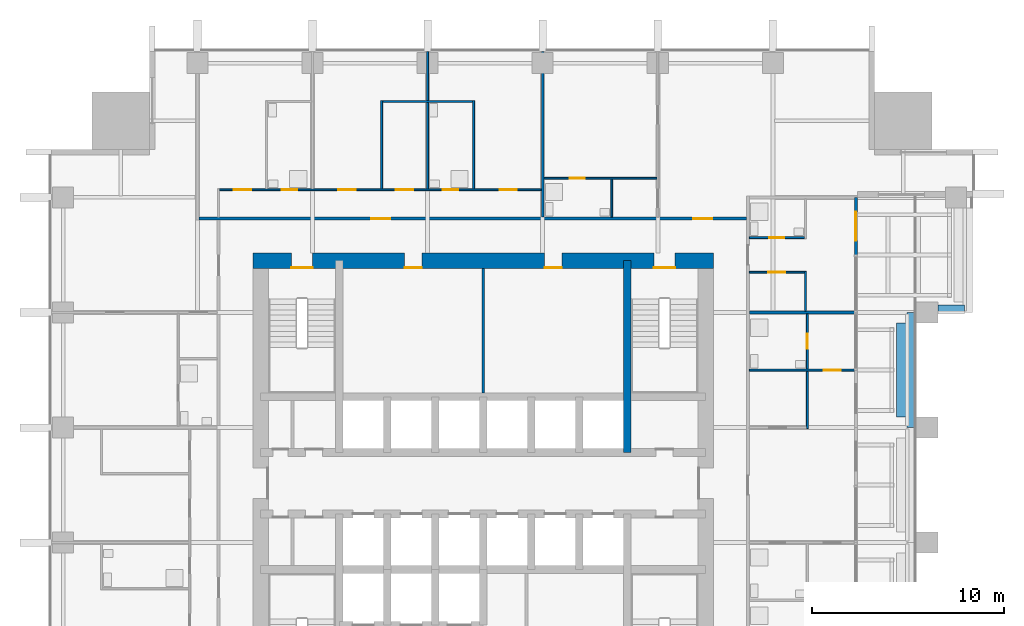
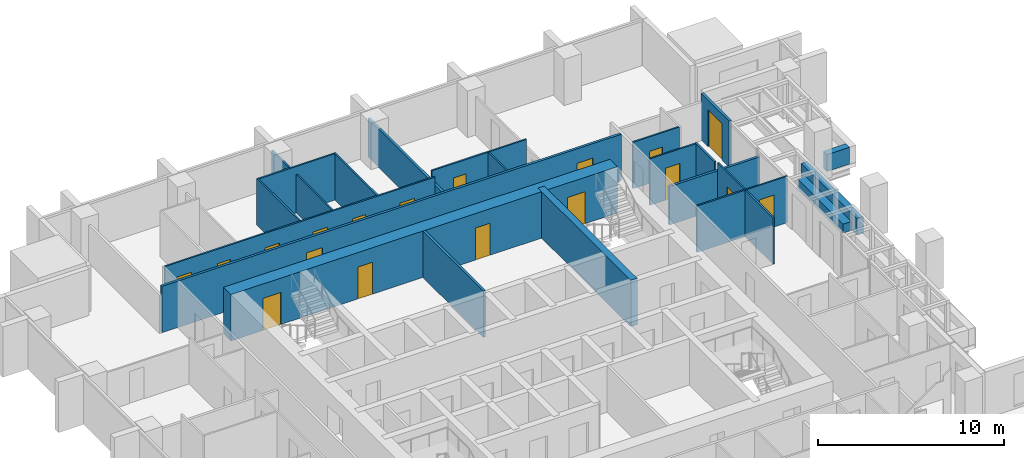
# One storey, part 11 of 16: 22 walls, 18 doors, 18 openings.
"""IFC4 building model written with IfcOpenShell, lengths in metres."""

from ifc_helpers import new_model, si_unit, direction, frame, frame_2d, origin, place, context, subcontext, project, spatial, rectangle, extrude, material, layer, layer_set, type_object, element, fill, save


model = new_model("IFC4")

# Units and contexts
model_context = context("Model", 3, precision=1e-05, world=origin(), true_north=direction((0.0, 1.0)))
body_context = subcontext(model_context, "Body", "Model", "MODEL_VIEW")
ifc_project = project(units=[si_unit("LENGTHUNIT", "METRE"), si_unit("AREAUNIT", "SQUARE_METRE"), si_unit("VOLUMEUNIT", "CUBIC_METRE"), si_unit("PLANEANGLEUNIT", "RADIAN"), si_unit("MASSUNIT", "GRAM", prefix="KILO")], contexts=[model_context])

# Site, building, storey
site_placement = place(None, origin())
site = spatial("IfcSite", under=ifc_project, at=site_placement, CompositionType="ELEMENT")
building_placement = place(site_placement, origin())
building = spatial("IfcBuilding", under=site, at=building_placement, Name="Amberfall Residences", CompositionType="ELEMENT")
storey_placement = place(building_placement, frame((0.0, 0.0, 108.39990234375)))
storey = spatial("IfcBuildingStorey", under=building, at=storey_placement, Name="L29", CompositionType="ELEMENT", Elevation=108.39990234375)

# Wall
ifc_material_1 = material(Name="Concrete C70", Category="concrete")
ifc_layer_1 = layer(ifc_material_1, 0.39990234375)
ifc_layer_set_1 = layer_set([ifc_layer_1], Name="Core wall 400 C70")
wall_type_1 = type_object("IfcWallType", Name="Core wall 400 C70", PredefinedType="SHEAR", material=ifc_layer_set_1)
wall_1_placement = place(storey_placement, frame((82.0, 47.10009765625, 0.0), z_axis=(0.0, 0.0, 1.0), x_axis=(0.0, 1.0, 0.0)))
element("IfcWall", 1, at=wall_1_placement, inside=storey, type_object=wall_type_1, Name="Core wall RW4 L29 V195N", PredefinedType="SHEAR", context=body_context, shape_type="SweptSolid", body=[
    extrude(rectangle(XDim=10.0, YDim=0.39990234375, at=frame_2d((5.0, 0.0))), origin(), (0.0, 0.0, 1.0), 3.050048828125),
])

# Wall, openings, doors
ifc_layer_2 = layer(ifc_material_1, 0.800048828125)
ifc_layer_set_2 = layer_set([ifc_layer_2], Name="Core wall 800 C70")
wall_type_2 = type_object("IfcWallType", Name="Core wall 800 C70", PredefinedType="SHEAR", material=ifc_layer_set_2)
wall_2_placement = place(storey_placement, frame((62.5, 57.10009765625, 0.0), z_axis=(0.0, 0.0, 1.0), x_axis=(1.0, 0.0, 0.0)))
wall_2 = element("IfcWall", 2, at=wall_2_placement, inside=storey, type_object=wall_type_2, Name="Core wall RW3 L29 ON", PredefinedType="SHEAR", context=body_context, shape_type="SweptSolid", body=[
    extrude(rectangle(XDim=24.0, YDim=0.800048828125, at=frame_2d((12.0, 0.0))), origin(), (0.0, 0.0, 1.0), 3.050048828125),
])
opening_1_placement = place(wall_2_placement, frame((20.89990234375, 0.0, 0.0)))
opening_1 = element("IfcOpeningElement", 3, at=opening_1_placement, cuts=wall_2, Name="Opening SD1", PredefinedType="OPENING", context=body_context, shape_type="SweptSolid", body=[
    extrude(rectangle(XDim=1.10009765625, YDim=2.10009765625, at=frame_2d((0.550048828125, 1.050048828125))), frame((0.0, 0.409912109375, 0.0), z_axis=(0.0, -1.0, 0.0), x_axis=(1.0, 0.0, 0.0)), (0.0, 0.0, 1.0), 0.820068359375),
])
opening_2_placement = place(wall_2_placement, frame((2.0, 0.0, 0.0)))
opening_2 = element("IfcOpeningElement", 4, at=opening_2_placement, cuts=wall_2, Name="Opening SD1", PredefinedType="OPENING", context=body_context, shape_type="SweptSolid", body=[
    extrude(rectangle(XDim=1.10009765625, YDim=2.10009765625, at=frame_2d((0.550048828125, 1.050048828125))), frame((0.0, 0.409912109375, 0.0), z_axis=(0.0, -1.0, 0.0), x_axis=(1.0, 0.0, 0.0)), (0.0, 0.0, 1.0), 0.820068359375),
])
opening_3_placement = place(wall_2_placement, frame((7.89990234375, 0.0, 0.0)))
opening_3 = element("IfcOpeningElement", 5, at=opening_3_placement, cuts=wall_2, Name="Opening RD1", PredefinedType="OPENING", context=body_context, shape_type="SweptSolid", body=[
    extrude(rectangle(XDim=0.89990234375, YDim=2.10009765625, at=frame_2d((0.449951171875, 1.050048828125))), frame((0.0, 0.409912109375, 0.0), z_axis=(0.0, -1.0, 0.0), x_axis=(1.0, 0.0, 0.0)), (0.0, 0.0, 1.0), 0.820068359375),
])
opening_4_placement = place(wall_2_placement, frame((15.199951171875, 0.0, 0.0)))
opening_4 = element("IfcOpeningElement", 6, at=opening_4_placement, cuts=wall_2, Name="Opening RD1", PredefinedType="OPENING", context=body_context, shape_type="SweptSolid", body=[
    extrude(rectangle(XDim=0.89990234375, YDim=2.10009765625, at=frame_2d((0.449951171875, 1.050048828125))), frame((0.0, 0.409912109375, 0.0), z_axis=(0.0, -1.0, 0.0), x_axis=(1.0, 0.0, 0.0)), (0.0, 0.0, 1.0), 0.820068359375),
])
ifc_material_2 = material(Name="Steel fire door set", Category="steel")
door_type_1 = type_object("IfcDoorType", Name="Service room door 900 x 2100", OperationType="SINGLE_SWING_LEFT", PredefinedType="DOOR", material=ifc_material_2)
door_1_placement = place(opening_3_placement, origin())
door_1 = element("IfcDoor", 7, at=door_1_placement, inside=storey, type_object=door_type_1, Name="RD1 L29", OperationType="SINGLE_SWING_RIGHT", OverallHeight=2.10009765625, OverallWidth=0.89990234375, PredefinedType="DOOR", context=body_context, shape_type="SweptSolid", body=[
    extrude(rectangle(XDim=0.89990234375, YDim=2.10009765625, at=frame_2d((0.449951171875, 1.050048828125))), frame((0.0, -0.33740234375, 0.0), z_axis=(0.0, -1.0, 0.0), x_axis=(1.0, 0.0, 0.0)), (0.0, 0.0, 1.0), 0.050048828125),
])
fill(opening_3, door_1)
door_2_placement = place(opening_4_placement, origin())
door_2 = element("IfcDoor", 8, at=door_2_placement, inside=storey, type_object=door_type_1, Name="RD1 L29", OperationType="SINGLE_SWING_RIGHT", OverallHeight=2.10009765625, OverallWidth=0.89990234375, PredefinedType="DOOR", context=body_context, shape_type="SweptSolid", body=[
    extrude(rectangle(XDim=0.89990234375, YDim=2.10009765625, at=frame_2d((0.449951171875, 1.050048828125))), frame((0.0, -0.33740234375, 0.0), z_axis=(0.0, -1.0, 0.0), x_axis=(1.0, 0.0, 0.0)), (0.0, 0.0, 1.0), 0.050048828125),
])
fill(opening_4, door_2)
door_type_2 = type_object("IfcDoorType", Name="Stair door 1100 x 2100", OperationType="SINGLE_SWING_LEFT", PredefinedType="DOOR", material=ifc_material_2)
door_3_placement = place(opening_1_placement, origin())
door_3 = element("IfcDoor", 9, at=door_3_placement, inside=storey, type_object=door_type_2, Name="SD1 L29", OperationType="SINGLE_SWING_RIGHT", OverallHeight=2.10009765625, OverallWidth=1.10009765625, PredefinedType="DOOR", context=body_context, shape_type="SweptSolid", body=[
    extrude(rectangle(XDim=1.10009765625, YDim=2.10009765625, at=frame_2d((0.550048828125, 1.050048828125))), frame((0.0, -0.33740234375, 0.0), z_axis=(0.0, -1.0, 0.0), x_axis=(1.0, 0.0, 0.0)), (0.0, 0.0, 1.0), 0.050048828125),
])
fill(opening_1, door_3)
door_4_placement = place(opening_2_placement, origin())
door_4 = element("IfcDoor", 10, at=door_4_placement, inside=storey, type_object=door_type_2, Name="SD1 L29", OperationType="SINGLE_SWING_LEFT", OverallHeight=2.10009765625, OverallWidth=1.10009765625, PredefinedType="DOOR", context=body_context, shape_type="SweptSolid", body=[
    extrude(rectangle(XDim=1.10009765625, YDim=2.10009765625, at=frame_2d((0.550048828125, 1.050048828125))), frame((0.0, -0.33740234375, 0.0), z_axis=(0.0, -1.0, 0.0), x_axis=(1.0, 0.0, 0.0)), (0.0, 0.0, 1.0), 0.050048828125),
])
fill(opening_2, door_4)

# Walls
ifc_material_3 = material(Name="Gypsum board on metal stud")
ifc_layer_3 = layer(ifc_material_3, 0.10009765625)
ifc_layer_set_3 = layer_set([ifc_layer_3], Name="Flat partition 100")
wall_type_3 = type_object("IfcWallType", Name="Flat partition 100", PredefinedType="PARTITIONING", material=ifc_layer_set_3)
wall_3_placement = place(storey_placement, frame((69.199951171875, 60.85009765625, 0.0), z_axis=(0.0, 0.0, 1.0), x_axis=(0.0, 1.0, 0.0)))
element("IfcWall", 11, at=wall_3_placement, inside=storey, type_object=wall_type_3, Name="Partition 011", PredefinedType="PARTITIONING", context=body_context, shape_type="SweptSolid", body=[
    extrude(rectangle(XDim=4.599853515625, YDim=0.10009765625, at=frame_2d((2.2998046875, 0.0))), origin(), (0.0, 0.0, 1.0), 3.050048828125),
])
wall_4_placement = place(storey_placement, frame((71.60009765625, 60.85009765625, 0.0), z_axis=(0.0, 0.0, 1.0), x_axis=(0.0, 1.0, 0.0)))
element("IfcWall", 12, at=wall_4_placement, inside=storey, type_object=wall_type_3, Name="Partition 013", PredefinedType="PARTITIONING", context=body_context, shape_type="SweptSolid", body=[
    extrude(rectangle(XDim=7.14990234375, YDim=0.10009765625, at=frame_2d((3.574951171875, 0.0))), origin(), (0.0, 0.0, 1.0), 2.51611328125),
])
wall_5_placement = place(storey_placement, frame((74.0, 60.85009765625, 0.0), z_axis=(0.0, 0.0, 1.0), x_axis=(0.0, 1.0, 0.0)))
element("IfcWall", 13, at=wall_5_placement, inside=storey, type_object=wall_type_3, Name="Partition 014", PredefinedType="PARTITIONING", context=body_context, shape_type="SweptSolid", body=[
    extrude(rectangle(XDim=4.599853515625, YDim=0.10009765625, at=frame_2d((2.2998046875, 0.0))), origin(), (0.0, 0.0, 1.0), 3.050048828125),
])
wall_6_placement = place(storey_placement, frame((81.199951171875, 59.375, 0.0), z_axis=(0.0, 0.0, 1.0), x_axis=(0.0, 1.0, 0.0)))
element("IfcWall", 14, at=wall_6_placement, inside=storey, type_object=wall_type_3, Name="Partition 018", PredefinedType="PARTITIONING", context=body_context, shape_type="SweptSolid", body=[
    extrude(rectangle(XDim=1.97509765625, YDim=0.10009765625, at=frame_2d((0.987548828125, 0.0))), origin(), (0.0, 0.0, 1.0), 3.050048828125),
])
wall_7_placement = place(storey_placement, frame((91.300048828125, 54.47509765625, 0.0), z_axis=(0.0, 0.0, 1.0), x_axis=(0.0, 1.0, 0.0)))
element("IfcWall", 15, at=wall_7_placement, inside=storey, type_object=wall_type_3, Name="Partition 023", PredefinedType="PARTITIONING", context=body_context, shape_type="SweptSolid", body=[
    extrude(rectangle(XDim=2.074951171875, YDim=0.10009765625, at=frame_2d((1.03759765625, 0.0))), origin(), (0.0, 0.0, 1.0), 3.050048828125),
])

# Wall, opening, door
wall_8_placement = place(storey_placement, frame((91.39990234375, 48.35009765625, 0.0), z_axis=(0.0, 0.0, 1.0), x_axis=(0.0, 1.0, 0.0)))
wall_8 = element("IfcWall", 16, at=wall_8_placement, inside=storey, type_object=wall_type_3, Name="Partition 026", PredefinedType="PARTITIONING", context=body_context, shape_type="SweptSolid", body=[
    extrude(rectangle(XDim=5.974853515625, YDim=0.10009765625, at=frame_2d((2.9873046875, 0.0))), origin(), (0.0, 0.0, 1.0), 3.050048828125),
])
opening_5_placement = place(wall_8_placement, frame((4.14990234375, 0.0, 0.0)))
opening_5 = element("IfcOpeningElement", 17, at=opening_5_placement, cuts=wall_8, Name="Opening D42", PredefinedType="OPENING", context=body_context, shape_type="SweptSolid", body=[
    extrude(rectangle(XDim=0.800048828125, YDim=2.10009765625, at=frame_2d((0.39990234375, 1.050048828125))), frame((0.0, 0.06005859375, 0.0), z_axis=(0.0, -1.0, 0.0), x_axis=(1.0, 0.0, 0.0)), (0.0, 0.0, 1.0), 0.1201171875),
])
ifc_material_4 = material(Name="Timber", Category="wood")
door_type_3 = type_object("IfcDoorType", Name="Bathroom door 800 x 2100", OperationType="SINGLE_SWING_LEFT", PredefinedType="DOOR", material=ifc_material_4)
door_5_placement = place(opening_5_placement, origin())
door_5 = element("IfcDoor", 18, at=door_5_placement, inside=storey, type_object=door_type_3, Name="Door 2905 bath2", OperationType="SINGLE_SWING_LEFT", OverallHeight=2.10009765625, OverallWidth=0.800048828125, PredefinedType="DOOR", context=body_context, shape_type="SweptSolid", body=[
    extrude(rectangle(XDim=0.800048828125, YDim=2.10009765625, at=frame_2d((0.39990234375, 1.050048828125))), frame((0.0, 0.02490234375, 0.0), z_axis=(0.0, -1.0, 0.0), x_axis=(1.0, 0.0, 0.0)), (0.0, 0.0, 1.0), 0.050048828125),
])
fill(opening_5, door_5)

# Wall
wall_9_placement = place(storey_placement, frame((69.25, 65.39990234375, 0.0), z_axis=(0.0, 0.0, 1.0), x_axis=(1.0, 0.0, 0.0)))
element("IfcWall", 19, at=wall_9_placement, inside=storey, type_object=wall_type_3, Name="Partition 028", PredefinedType="PARTITIONING", context=body_context, shape_type="SweptSolid", body=[
    extrude(rectangle(XDim=4.699951171875, YDim=0.10009765625, at=frame_2d((2.35009765625, 0.0))), origin(), (0.0, 0.0, 1.0), 3.050048828125),
])

# Wall, opening, door
wall_10_placement = place(storey_placement, frame((83.550048828125, 61.39990234375, 0.0), z_axis=(0.0, 0.0, 1.0), x_axis=(-1.0, 0.0, 0.0)))
wall_10 = element("IfcWall", 20, at=wall_10_placement, inside=storey, type_object=wall_type_3, Name="Partition 029", PredefinedType="PARTITIONING", context=body_context, shape_type="SweptSolid", body=[
    extrude(rectangle(XDim=5.875, YDim=0.10009765625, at=frame_2d((2.9375, 0.0))), origin(), (0.0, 0.0, 1.0), 3.050048828125),
])
opening_6_placement = place(wall_10_placement, frame((3.75, 0.0, 0.0)))
opening_6 = element("IfcOpeningElement", 21, at=opening_6_placement, cuts=wall_10, Name="Opening D42", PredefinedType="OPENING", context=body_context, shape_type="SweptSolid", body=[
    extrude(rectangle(XDim=0.800048828125, YDim=2.10009765625, at=frame_2d((0.39990234375, 1.050048828125))), frame((0.0, 0.06005859375, 0.0), z_axis=(0.0, -1.0, 0.0), x_axis=(1.0, 0.0, 0.0)), (0.0, 0.0, 1.0), 0.1201171875),
])
door_6_placement = place(opening_6_placement, origin())
door_6 = element("IfcDoor", 22, at=door_6_placement, inside=storey, type_object=door_type_3, Name="Door 2908 bath1", OperationType="SINGLE_SWING_LEFT", OverallHeight=2.10009765625, OverallWidth=0.800048828125, PredefinedType="DOOR", context=body_context, shape_type="SweptSolid", body=[
    extrude(rectangle(XDim=0.800048828125, YDim=2.10009765625, at=frame_2d((0.39990234375, 1.050048828125))), frame((0.0, 0.02490234375, 0.0), z_axis=(0.0, -1.0, 0.0), x_axis=(1.0, 0.0, 0.0)), (0.0, 0.0, 1.0), 0.050048828125),
])
fill(opening_6, door_6)

# Wall, openings, doors
wall_11_placement = place(storey_placement, frame((60.75, 60.800048828125, 0.0), z_axis=(0.0, 0.0, 1.0), x_axis=(1.0, 0.0, 0.0)))
wall_11 = element("IfcWall", 23, at=wall_11_placement, inside=storey, type_object=wall_type_3, Name="Partition 030", PredefinedType="PARTITIONING", context=body_context, shape_type="SweptSolid", body=[
    extrude(rectangle(XDim=16.77490234375, YDim=0.10009765625, at=frame_2d((8.387451171875, 0.0))), origin(), (0.0, 0.0, 1.0), 3.050048828125),
])
opening_7_placement = place(wall_11_placement, frame((6.199951171875, 0.0, 0.0)))
opening_7 = element("IfcOpeningElement", 24, at=opening_7_placement, cuts=wall_11, Name="Opening D41", PredefinedType="OPENING", context=body_context, shape_type="SweptSolid", body=[
    extrude(rectangle(XDim=0.89990234375, YDim=2.10009765625, at=frame_2d((0.449951171875, 1.050048828125))), frame((0.0, 0.06005859375, 0.0), z_axis=(0.0, -1.0, 0.0), x_axis=(1.0, 0.0, 0.0)), (0.0, 0.0, 1.0), 0.1201171875),
])
opening_8_placement = place(wall_11_placement, frame((9.199951171875, 0.0, 0.0)))
opening_8 = element("IfcOpeningElement", 25, at=opening_8_placement, cuts=wall_11, Name="Opening D41", PredefinedType="OPENING", context=body_context, shape_type="SweptSolid", body=[
    extrude(rectangle(XDim=0.89990234375, YDim=2.10009765625, at=frame_2d((0.449951171875, 1.050048828125))), frame((0.0, 0.06005859375, 0.0), z_axis=(0.0, -1.0, 0.0), x_axis=(1.0, 0.0, 0.0)), (0.0, 0.0, 1.0), 0.1201171875),
])
opening_9_placement = place(wall_11_placement, frame((0.75, 0.0, 0.0)))
opening_9 = element("IfcOpeningElement", 26, at=opening_9_placement, cuts=wall_11, Name="Opening D41", PredefinedType="OPENING", context=body_context, shape_type="SweptSolid", body=[
    extrude(rectangle(XDim=0.89990234375, YDim=2.10009765625, at=frame_2d((0.449951171875, 1.050048828125))), frame((0.0, 0.06005859375, 0.0), z_axis=(0.0, -1.0, 0.0), x_axis=(1.0, 0.0, 0.0)), (0.0, 0.0, 1.0), 0.1201171875),
])
opening_10_placement = place(wall_11_placement, frame((14.60009765625, 0.0, 0.0)))
opening_10 = element("IfcOpeningElement", 27, at=opening_10_placement, cuts=wall_11, Name="Opening D41", PredefinedType="OPENING", context=body_context, shape_type="SweptSolid", body=[
    extrude(rectangle(XDim=0.89990234375, YDim=2.10009765625, at=frame_2d((0.449951171875, 1.050048828125))), frame((0.0, 0.06005859375, 0.0), z_axis=(0.0, -1.0, 0.0), x_axis=(1.0, 0.0, 0.0)), (0.0, 0.0, 1.0), 0.1201171875),
])
opening_11_placement = place(wall_11_placement, frame((3.25, 0.0, 0.0)))
opening_11 = element("IfcOpeningElement", 28, at=opening_11_placement, cuts=wall_11, Name="Opening D42", PredefinedType="OPENING", context=body_context, shape_type="SweptSolid", body=[
    extrude(rectangle(XDim=0.800048828125, YDim=2.10009765625, at=frame_2d((0.39990234375, 1.050048828125))), frame((0.0, 0.06005859375, 0.0), z_axis=(0.0, -1.0, 0.0), x_axis=(1.0, 0.0, 0.0)), (0.0, 0.0, 1.0), 0.1201171875),
])
opening_12_placement = place(wall_11_placement, frame((11.64990234375, 0.0, 0.0)))
opening_12 = element("IfcOpeningElement", 29, at=opening_12_placement, cuts=wall_11, Name="Opening D42", PredefinedType="OPENING", context=body_context, shape_type="SweptSolid", body=[
    extrude(rectangle(XDim=0.800048828125, YDim=2.10009765625, at=frame_2d((0.39990234375, 1.050048828125))), frame((0.0, 0.06005859375, 0.0), z_axis=(0.0, -1.0, 0.0), x_axis=(1.0, 0.0, 0.0)), (0.0, 0.0, 1.0), 0.1201171875),
])
door_7_placement = place(opening_11_placement, origin())
door_7 = element("IfcDoor", 30, at=door_7_placement, inside=storey, type_object=door_type_3, Name="Door 2907 bath1", OperationType="SINGLE_SWING_LEFT", OverallHeight=2.10009765625, OverallWidth=0.800048828125, PredefinedType="DOOR", context=body_context, shape_type="SweptSolid", body=[
    extrude(rectangle(XDim=0.800048828125, YDim=2.10009765625, at=frame_2d((0.39990234375, 1.050048828125))), frame((0.0, 0.02490234375, 0.0), z_axis=(0.0, -1.0, 0.0), x_axis=(1.0, 0.0, 0.0)), (0.0, 0.0, 1.0), 0.050048828125),
])
fill(opening_11, door_7)
door_8_placement = place(opening_12_placement, origin())
door_8 = element("IfcDoor", 31, at=door_8_placement, inside=storey, type_object=door_type_3, Name="Door 2907 bath2", OperationType="SINGLE_SWING_LEFT", OverallHeight=2.10009765625, OverallWidth=0.800048828125, PredefinedType="DOOR", context=body_context, shape_type="SweptSolid", body=[
    extrude(rectangle(XDim=0.800048828125, YDim=2.10009765625, at=frame_2d((0.39990234375, 1.050048828125))), frame((0.0, 0.02490234375, 0.0), z_axis=(0.0, -1.0, 0.0), x_axis=(1.0, 0.0, 0.0)), (0.0, 0.0, 1.0), 0.050048828125),
])
fill(opening_12, door_8)
door_type_4 = type_object("IfcDoorType", Name="Internal door 900 x 2100", OperationType="SINGLE_SWING_LEFT", PredefinedType="DOOR", material=ifc_material_4)
door_9_placement = place(opening_7_placement, origin())
door_9 = element("IfcDoor", 32, at=door_9_placement, inside=storey, type_object=door_type_4, Name="Door 2907 living", OperationType="SINGLE_SWING_LEFT", OverallHeight=2.10009765625, OverallWidth=0.89990234375, PredefinedType="DOOR", context=body_context, shape_type="SweptSolid", body=[
    extrude(rectangle(XDim=0.89990234375, YDim=2.10009765625, at=frame_2d((0.449951171875, 1.050048828125))), frame((0.0, 0.02490234375, 0.0), z_axis=(0.0, -1.0, 0.0), x_axis=(1.0, 0.0, 0.0)), (0.0, 0.0, 1.0), 0.050048828125),
])
fill(opening_7, door_9)
door_10_placement = place(opening_8_placement, origin())
door_10 = element("IfcDoor", 33, at=door_10_placement, inside=storey, type_object=door_type_4, Name="Door 2907 kitchen", OperationType="SINGLE_SWING_LEFT", OverallHeight=2.10009765625, OverallWidth=0.89990234375, PredefinedType="DOOR", context=body_context, shape_type="SweptSolid", body=[
    extrude(rectangle(XDim=0.89990234375, YDim=2.10009765625, at=frame_2d((0.449951171875, 1.050048828125))), frame((0.0, 0.02490234375, 0.0), z_axis=(0.0, -1.0, 0.0), x_axis=(1.0, 0.0, 0.0)), (0.0, 0.0, 1.0), 0.050048828125),
])
fill(opening_8, door_10)
door_11_placement = place(opening_9_placement, origin())
door_11 = element("IfcDoor", 34, at=door_11_placement, inside=storey, type_object=door_type_4, Name="Door 2907 bedroom1", OperationType="SINGLE_SWING_LEFT", OverallHeight=2.10009765625, OverallWidth=0.89990234375, PredefinedType="DOOR", context=body_context, shape_type="SweptSolid", body=[
    extrude(rectangle(XDim=0.89990234375, YDim=2.10009765625, at=frame_2d((0.449951171875, 1.050048828125))), frame((0.0, 0.02490234375, 0.0), z_axis=(0.0, -1.0, 0.0), x_axis=(1.0, 0.0, 0.0)), (0.0, 0.0, 1.0), 0.050048828125),
])
fill(opening_9, door_11)
door_12_placement = place(opening_10_placement, origin())
door_12 = element("IfcDoor", 35, at=door_12_placement, inside=storey, type_object=door_type_4, Name="Door 2907 bedroom2", OperationType="SINGLE_SWING_LEFT", OverallHeight=2.10009765625, OverallWidth=0.89990234375, PredefinedType="DOOR", context=body_context, shape_type="SweptSolid", body=[
    extrude(rectangle(XDim=0.89990234375, YDim=2.10009765625, at=frame_2d((0.449951171875, 1.050048828125))), frame((0.0, 0.02490234375, 0.0), z_axis=(0.0, -1.0, 0.0), x_axis=(1.0, 0.0, 0.0)), (0.0, 0.0, 1.0), 0.050048828125),
])
fill(opening_10, door_12)

# Wall, opening, door
wall_12_placement = place(storey_placement, frame((88.375, 58.300048828125, 0.0), z_axis=(0.0, 0.0, 1.0), x_axis=(1.0, 0.0, 0.0)))
wall_12 = element("IfcWall", 36, at=wall_12_placement, inside=storey, type_object=wall_type_3, Name="Partition 031", PredefinedType="PARTITIONING", context=body_context, shape_type="SweptSolid", body=[
    extrude(rectangle(XDim=2.875, YDim=0.10009765625, at=frame_2d((1.4375, 0.0))), origin(), (0.0, 0.0, 1.0), 3.050048828125),
])
opening_13_placement = place(wall_12_placement, frame((1.02490234375, 0.0, 0.0)))
opening_13 = element("IfcOpeningElement", 37, at=opening_13_placement, cuts=wall_12, Name="Opening D42", PredefinedType="OPENING", context=body_context, shape_type="SweptSolid", body=[
    extrude(rectangle(XDim=0.800048828125, YDim=2.10009765625, at=frame_2d((0.39990234375, 1.050048828125))), frame((0.0, 0.06005859375, 0.0), z_axis=(0.0, -1.0, 0.0), x_axis=(1.0, 0.0, 0.0)), (0.0, 0.0, 1.0), 0.1201171875),
])
door_13_placement = place(opening_13_placement, origin())
door_13 = element("IfcDoor", 38, at=door_13_placement, inside=storey, type_object=door_type_3, Name="Door 2906 bath1", OperationType="SINGLE_SWING_LEFT", OverallHeight=2.10009765625, OverallWidth=0.800048828125, PredefinedType="DOOR", context=body_context, shape_type="SweptSolid", body=[
    extrude(rectangle(XDim=0.800048828125, YDim=2.10009765625, at=frame_2d((0.39990234375, 1.050048828125))), frame((0.0, 0.02490234375, 0.0), z_axis=(0.0, -1.0, 0.0), x_axis=(1.0, 0.0, 0.0)), (0.0, 0.0, 1.0), 0.050048828125),
])
fill(opening_13, door_13)

wall_13_placement = place(storey_placement, frame((91.25, 56.5, 0.0), z_axis=(0.0, 0.0, 1.0), x_axis=(-1.0, 0.0, 0.0)))
wall_13 = element("IfcWall", 39, at=wall_13_placement, inside=storey, type_object=wall_type_3, Name="Partition 032", PredefinedType="PARTITIONING", context=body_context, shape_type="SweptSolid", body=[
    extrude(rectangle(XDim=2.875, YDim=0.10009765625, at=frame_2d((1.4375, 0.0))), origin(), (0.0, 0.0, 1.0), 3.050048828125),
])
opening_14_placement = place(wall_13_placement, frame((1.0, 0.0, 0.0)))
opening_14 = element("IfcOpeningElement", 40, at=opening_14_placement, cuts=wall_13, Name="Opening D41", PredefinedType="OPENING", context=body_context, shape_type="SweptSolid", body=[
    extrude(rectangle(XDim=0.89990234375, YDim=2.10009765625, at=frame_2d((0.449951171875, 1.050048828125))), frame((0.0, 0.06005859375, 0.0), z_axis=(0.0, -1.0, 0.0), x_axis=(1.0, 0.0, 0.0)), (0.0, 0.0, 1.0), 0.1201171875),
])
door_14_placement = place(opening_14_placement, origin())
door_14 = element("IfcDoor", 41, at=door_14_placement, inside=storey, type_object=door_type_4, Name="Door 2906 kitchen", OperationType="SINGLE_SWING_LEFT", OverallHeight=2.10009765625, OverallWidth=0.89990234375, PredefinedType="DOOR", context=body_context, shape_type="SweptSolid", body=[
    extrude(rectangle(XDim=0.89990234375, YDim=2.10009765625, at=frame_2d((0.449951171875, 1.050048828125))), frame((0.0, 0.02490234375, 0.0), z_axis=(0.0, -1.0, 0.0), x_axis=(1.0, 0.0, 0.0)), (0.0, 0.0, 1.0), 0.050048828125),
])
fill(opening_14, door_14)

wall_14_placement = place(storey_placement, frame((88.375, 51.39990234375, 0.0), z_axis=(0.0, 0.0, 1.0), x_axis=(1.0, 0.0, 0.0)))
wall_14 = element("IfcWall", 42, at=wall_14_placement, inside=storey, type_object=wall_type_3, Name="Partition 035", PredefinedType="PARTITIONING", context=body_context, shape_type="SweptSolid", body=[
    extrude(rectangle(XDim=5.625, YDim=0.10009765625, at=frame_2d((2.8125, 0.0))), origin(), (0.0, 0.0, 1.0), 3.050048828125),
])
opening_15_placement = place(wall_14_placement, frame((3.875, 0.0, 0.0)))
opening_15 = element("IfcOpeningElement", 43, at=opening_15_placement, cuts=wall_14, Name="Opening D41", PredefinedType="OPENING", context=body_context, shape_type="SweptSolid", body=[
    extrude(rectangle(XDim=0.89990234375, YDim=2.10009765625, at=frame_2d((0.449951171875, 1.050048828125))), frame((0.0, 0.06005859375, 0.0), z_axis=(0.0, -1.0, 0.0), x_axis=(1.0, 0.0, 0.0)), (0.0, 0.0, 1.0), 0.1201171875),
])
door_15_placement = place(opening_15_placement, origin())
door_15 = element("IfcDoor", 44, at=door_15_placement, inside=storey, type_object=door_type_4, Name="Door 2905 bedroom2", OperationType="SINGLE_SWING_LEFT", OverallHeight=2.10009765625, OverallWidth=0.89990234375, PredefinedType="DOOR", context=body_context, shape_type="SweptSolid", body=[
    extrude(rectangle(XDim=0.89990234375, YDim=2.10009765625, at=frame_2d((0.449951171875, 1.050048828125))), frame((0.0, 0.02490234375, 0.0), z_axis=(0.0, -1.0, 0.0), x_axis=(1.0, 0.0, 0.0)), (0.0, 0.0, 1.0), 0.050048828125),
])
fill(opening_15, door_15)

# Wall
ifc_material_5 = material(Name="Blockwork, plastered", Category="masonry")
ifc_layer_4 = layer(ifc_material_5, 0.14990234375)
ifc_layer_set_4 = layer_set([ifc_layer_4], Name="Flat separating wall 150")
wall_type_4 = type_object("IfcWallType", Name="Flat separating wall 150", PredefinedType="PARTITIONING", material=ifc_layer_set_4)
wall_15_placement = place(storey_placement, frame((77.60009765625, 59.375, 0.0), z_axis=(0.0, 0.0, 1.0), x_axis=(0.0, 1.0, 0.0)))
element("IfcWall", 45, at=wall_15_placement, inside=storey, type_object=wall_type_4, Name="Separating wall 054", PredefinedType="PARTITIONING", context=body_context, shape_type="SweptSolid", body=[
    extrude(rectangle(XDim=8.625, YDim=0.14990234375, at=frame_2d((4.3125, 0.0))), origin(), (0.0, 0.0, 1.0), 2.51611328125),
])

# Wall, openings, doors
wall_16_placement = place(storey_placement, frame((59.675048828125, 59.300048828125, 0.0), z_axis=(0.0, 0.0, 1.0), x_axis=(1.0, 0.0, 0.0)))
wall_16 = element("IfcWall", 46, at=wall_16_placement, inside=storey, type_object=wall_type_4, Name="Separating wall 059", PredefinedType="PARTITIONING", context=body_context, shape_type="SweptSolid", body=[
    extrude(rectangle(XDim=28.550048828125, YDim=0.14990234375, at=frame_2d((14.27490234375, 0.0))), origin(), (0.0, 0.0, 1.0), 3.050048828125),
])
opening_16_placement = place(wall_16_placement, frame((8.97509765625, 0.0, 0.0)))
opening_16 = element("IfcOpeningElement", 47, at=opening_16_placement, cuts=wall_16, Name="Opening D40", PredefinedType="OPENING", context=body_context, shape_type="SweptSolid", body=[
    extrude(rectangle(XDim=1.0, YDim=2.10009765625, at=frame_2d((0.5, 1.050048828125))), frame((0.0, 0.0849609375, 0.0), z_axis=(0.0, -1.0, 0.0), x_axis=(1.0, 0.0, 0.0)), (0.0, 0.0, 1.0), 0.169921875),
])
opening_17_placement = place(wall_16_placement, frame((25.77490234375, 0.0, 0.0)))
opening_17 = element("IfcOpeningElement", 48, at=opening_17_placement, cuts=wall_16, Name="Opening D40", PredefinedType="OPENING", context=body_context, shape_type="SweptSolid", body=[
    extrude(rectangle(XDim=1.0, YDim=2.10009765625, at=frame_2d((0.5, 1.050048828125))), frame((0.0, 0.0849609375, 0.0), z_axis=(0.0, -1.0, 0.0), x_axis=(1.0, 0.0, 0.0)), (0.0, 0.0, 1.0), 0.169921875),
])
ifc_material_6 = material(Name="Timber, fire-rated", Category="wood")
door_type_5 = type_object("IfcDoorType", Name="Flat entrance door FD60 1000 x 2100", OperationType="SINGLE_SWING_LEFT", PredefinedType="DOOR", material=ifc_material_6)
door_16_placement = place(opening_16_placement, origin())
door_16 = element("IfcDoor", 49, at=door_16_placement, inside=storey, type_object=door_type_5, Name="Door 2907 entrance", OperationType="SINGLE_SWING_LEFT", OverallHeight=2.10009765625, OverallWidth=1.0, PredefinedType="DOOR", context=body_context, shape_type="SweptSolid", body=[
    extrude(rectangle(XDim=1.0, YDim=2.10009765625, at=frame_2d((0.5, 1.050048828125))), frame((0.0, 0.02490234375, 0.0), z_axis=(0.0, -1.0, 0.0), x_axis=(1.0, 0.0, 0.0)), (0.0, 0.0, 1.0), 0.050048828125),
])
fill(opening_16, door_16)
door_17_placement = place(opening_17_placement, origin())
door_17 = element("IfcDoor", 50, at=door_17_placement, inside=storey, type_object=door_type_5, Name="Door 2908 entrance", OperationType="SINGLE_SWING_LEFT", OverallHeight=2.10009765625, OverallWidth=1.0, PredefinedType="DOOR", context=body_context, shape_type="SweptSolid", body=[
    extrude(rectangle(XDim=1.0, YDim=2.10009765625, at=frame_2d((0.5, 1.050048828125))), frame((0.0, 0.02490234375, 0.0), z_axis=(0.0, -1.0, 0.0), x_axis=(1.0, 0.0, 0.0)), (0.0, 0.0, 1.0), 0.050048828125),
])
fill(opening_17, door_17)

# Walls
wall_17_placement = place(storey_placement, frame((88.375, 54.39990234375, 0.0), z_axis=(0.0, 0.0, 1.0), x_axis=(1.0, 0.0, 0.0)))
element("IfcWall", 51, at=wall_17_placement, inside=storey, type_object=wall_type_4, Name="Separating wall 060", PredefinedType="PARTITIONING", context=body_context, shape_type="SweptSolid", body=[
    extrude(rectangle(XDim=5.625, YDim=0.14990234375, at=frame_2d((2.8125, 0.0))), origin(), (0.0, 0.0, 1.0), 2.51611328125),
])
ifc_material_7 = material(Name="Precast concrete C32/40", Category="concrete")
ifc_layer_5 = layer(ifc_material_7, 0.5)
ifc_layer_set_5 = layer_set([ifc_layer_5], Name="Planter wall 500")
wall_type_5 = type_object("IfcWallType", Name="Planter wall 500", PredefinedType="SOLIDWALL", material=ifc_layer_set_5)
wall_18_placement = place(storey_placement, frame((96.300048828125, 48.949951171875, 0.030029296875), z_axis=(0.0, 0.0, 1.0), x_axis=(0.0, 1.0, 0.0)))
element("IfcWall", 52, at=wall_18_placement, inside=storey, type_object=wall_type_5, Name="Planter L29 E4", PredefinedType="SOLIDWALL", context=body_context, shape_type="SweptSolid", body=[
    extrude(rectangle(XDim=4.900146484375, YDim=0.5, at=frame_2d((2.4501953125, 0.0))), origin(), (0.0, 0.0, 1.0), 0.60009765625),
])
ifc_material_8 = material(Name="Concrete blockwork", Category="masonry")
ifc_layer_6 = layer(ifc_material_8, 0.14990234375)
ifc_layer_set_6 = layer_set([ifc_layer_6], Name="Riser wall 150")
wall_type_6 = type_object("IfcWallType", Name="Riser wall 150", PredefinedType="PLUMBINGWALL", material=ifc_layer_set_6)
wall_19_placement = place(storey_placement, frame((74.5, 50.199951171875, 0.0), z_axis=(0.0, 0.0, 1.0), x_axis=(0.0, 1.0, 0.0)))
element("IfcWall", 53, at=wall_19_placement, inside=storey, type_object=wall_type_6, Name="L29 core wall N0", PredefinedType="PLUMBINGWALL", context=body_context, shape_type="SweptSolid", body=[
    extrude(rectangle(XDim=6.5, YDim=0.14990234375, at=frame_2d((3.25, 0.0))), origin(), (0.0, 0.0, 1.0), 3.050048828125),
])

# Wall, opening, door
ifc_material_9 = material(Name="Pale stone cladding on insulated backing", Category="masonry")
ifc_layer_7 = layer(ifc_material_9, 0.14990234375)
ifc_layer_set_7 = layer_set([ifc_layer_7], Name="Terrace door infill wall 150")
wall_type_7 = type_object("IfcWallType", Name="Terrace door infill wall 150", PredefinedType="SOLIDWALL", material=ifc_layer_set_7)
wall_20_placement = place(storey_placement, frame((93.925048828125, 57.39990234375, 0.0), z_axis=(0.0, 0.0, 1.0), x_axis=(0.0, 1.0, 0.0)))
wall_20 = element("IfcWall", 54, at=wall_20_placement, inside=storey, type_object=wall_type_7, Name="Terrace door wall L29 E5", PredefinedType="SOLIDWALL", context=body_context, shape_type="SweptSolid", body=[
    extrude(rectangle(XDim=3.0, YDim=0.14990234375, at=frame_2d((1.5, 0.0))), origin(), (0.0, 0.0, 1.0), 3.050048828125),
])
opening_18_placement = place(wall_20_placement, frame((0.75, 0.0, 0.0)))
opening_18 = element("IfcOpeningElement", 55, at=opening_18_placement, cuts=wall_20, Name="Opening TD2", PredefinedType="OPENING", context=body_context, shape_type="SweptSolid", body=[
    extrude(rectangle(XDim=1.5, YDim=2.39990234375, at=frame_2d((0.75, 1.199951171875))), frame((0.0, 0.0849609375, 0.0), z_axis=(0.0, -1.0, 0.0), x_axis=(1.0, 0.0, 0.0)), (0.0, 0.0, 1.0), 0.169921875),
])
ifc_material_10 = material(Name="Bronze aluminium framed glazed door", Category="aluminium")
door_type_6 = type_object("IfcDoorType", Name="Terrace sliding door 1500 x 2400", OperationType="DOUBLE_DOOR_SLIDING", PredefinedType="DOOR", material=ifc_material_10)
door_18_placement = place(opening_18_placement, origin())
door_18 = element("IfcDoor", 56, at=door_18_placement, inside=storey, type_object=door_type_6, Name="Terrace door TD2", OperationType="DOUBLE_DOOR_SLIDING", OverallHeight=2.39990234375, OverallWidth=1.5, PredefinedType="DOOR", context=body_context, shape_type="SweptSolid", body=[
    extrude(rectangle(XDim=1.5, YDim=2.39990234375, at=frame_2d((0.75, 1.199951171875))), frame((0.0, 0.02490234375, 0.0), z_axis=(0.0, -1.0, 0.0), x_axis=(1.0, 0.0, 0.0)), (0.0, 0.0, 1.0), 0.050048828125),
])
fill(opening_18, door_18)

# Walls
ifc_material_11 = material(Name="Pale stone faced Concrete C40", Category="masonry")
ifc_layer_8 = layer(ifc_material_11, 0.39990234375)
ifc_layer_set_8 = layer_set([ifc_layer_8], Name="Terrace parapet wall 400")
wall_type_8 = type_object("IfcWallType", Name="Terrace parapet wall 400", PredefinedType="PARAPET", material=ifc_layer_set_8)
wall_21_placement = place(storey_placement, frame((96.800048828125, 48.39990234375, 0.030029296875), z_axis=(0.0, 0.0, 1.0), x_axis=(0.0, 1.0, 0.0)))
element("IfcWall", 57, at=wall_21_placement, inside=storey, type_object=wall_type_8, Name="Terrace parapet L29 E4", PredefinedType="PARAPET", context=body_context, shape_type="SweptSolid", body=[
    extrude(rectangle(XDim=6.0, YDim=0.39990234375, at=frame_2d((3.0, 0.0))), origin(), (0.0, 0.0, 1.0), 1.10009765625),
])
wall_22_placement = place(storey_placement, frame((98.199951171875, 54.60009765625, 0.030029296875), z_axis=(0.0, 0.0, 1.0), x_axis=(1.0, 0.0, 0.0)))
element("IfcWall", 58, at=wall_22_placement, inside=storey, type_object=wall_type_8, Name="Terrace parapet L29 E5 return", PredefinedType="PARAPET", context=body_context, shape_type="SweptSolid", body=[
    extrude(rectangle(XDim=1.400146484375, YDim=0.39990234375, at=frame_2d((0.7001953125, 0.0))), origin(), (0.0, 0.0, 1.0), 1.10009765625),
])

save(model, "model.ifc")
